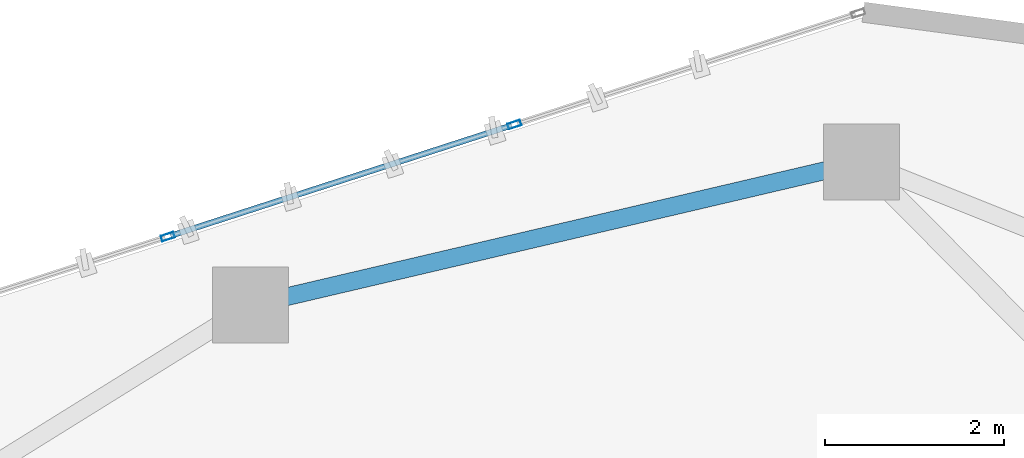
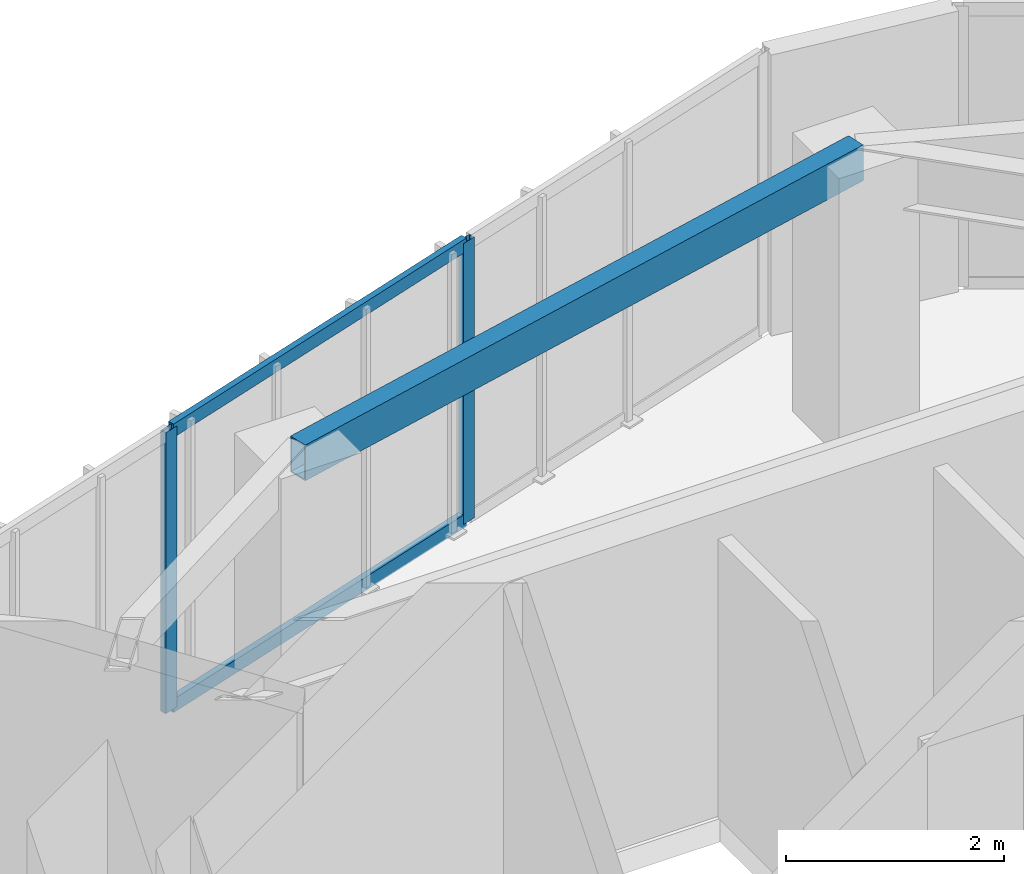
# One storey, part 10 of 19: 4 members, 1 beam, 1 element without a shape of its own.
"""IFC4 building model written with IfcOpenShell, lengths in metres."""

from ifc_helpers import new_model, si_unit, direction, frame, origin, origin_2d, place, context, subcontext, project, spatial, hollow_rectangle, extrude, source, transform, mapped, material, layer, layer_set, material_profile, profile_set, type_object, type_shapes, element, aggregate, save


model = new_model("IFC4")

# Units and contexts
model_context = context("Model", 3, precision=1e-05, world=origin(), true_north=direction((0.0, 1.0)))
body_context = subcontext(model_context, "Body", "Model", "MODEL_VIEW")
ifc_project = project(units=[si_unit("LENGTHUNIT", "METRE"), si_unit("AREAUNIT", "SQUARE_METRE"), si_unit("VOLUMEUNIT", "CUBIC_METRE"), si_unit("PLANEANGLEUNIT", "RADIAN"), si_unit("MASSUNIT", "GRAM", prefix="KILO")], contexts=[model_context])

# Site, building, storey
site_placement = place(None, origin())
site = spatial("IfcSite", under=ifc_project, at=site_placement, CompositionType="ELEMENT")
building_placement = place(site_placement, origin())
building = spatial("IfcBuilding", under=site, at=building_placement, Name="Talar Marvaseh", CompositionType="ELEMENT")
storey_placement = place(building_placement, frame((0.0, 0.0, 288.39990234375)))
storey = spatial("IfcBuildingStorey", under=building, at=storey_placement, Name="L77", CompositionType="ELEMENT", Elevation=288.39990234375)

# Beam
ifc_material_1 = material(Name="Steel S355", Category="steel")
ifc_material_profile_1 = material_profile(ifc_material_1, hollow_rectangle(XDim=0.199951171875, YDim=0.39990234375, WallThickness=0.013916015625, at=origin_2d()), Name="RHS400x200x14")
ifc_profile_set_1 = profile_set([ifc_material_profile_1], Name="Steel S355")
beam_type = type_object("IfcBeamType", Name="Zone 3 Perimeter Spandrel Beam RHS400x200x14", PredefinedType="SPANDREL", material=ifc_profile_set_1)
beam_placement = place(storey_placement, frame((22.364990234375, 39.4541015625, 2.940185546875), z_axis=(0.973655602276, 0.228023613157, 0.0), x_axis=(-0.228023613157, 0.973655602276, 0.0)))
element("IfcBeam", 1, at=beam_placement, inside=storey, type_object=beam_type, Name="L77 Zone 3 Perimeter Spandrel Beam RHS400x200x14", PredefinedType="SPANDREL", context=body_context, shape_type="SweptSolid", body=[
    extrude(hollow_rectangle(XDim=0.199951171875, YDim=0.39990234375, WallThickness=0.013916015625, at=origin_2d()), origin(), (0.0, 0.0, 1.0), 7.007568359375),
])

# Curtain wall, members
ifc_material_2 = material(Name="Architectural Aluminium", Category="aluminium")
ifc_layer = layer(ifc_material_2, 0.179931640625)
ifc_layer_set = layer_set([ifc_layer], Name="Architectural Aluminium")
curtain_wall_type = type_object("IfcCurtainWallType", Name="Unitised High-Wind Sky Curtain Wall Z4", PredefinedType="NOTDEFINED", material=ifc_layer_set)
curtain_wall_placement = place(storey_placement, origin())
curtain_wall = element("IfcCurtainWall", 2, at=curtain_wall_placement, inside=storey, type_object=curtain_wall_type, Name="L77 Unitised High-Wind Sky Curtain Wall Z4", PredefinedType="NOTDEFINED")
ifc_material_profile_2 = material_profile(ifc_material_2, hollow_rectangle(XDim=0.06494140625, YDim=0.14990234375, WallThickness=0.00390625, at=origin_2d()), Name="RHS150x65x4")
ifc_profile_set_2 = profile_set([ifc_material_profile_2], Name="Architectural Aluminium")
member_type_1 = type_object("IfcMemberType", Name="Unitised Curtain Wall Slim Transom RHS150x65x4", PredefinedType="USERDEFINED", material=ifc_profile_set_2)
shared_shape_1 = source(origin(), body_context, "Body", "SweptSolid", [
    extrude(hollow_rectangle(XDim=0.06494140625, YDim=0.14990234375, WallThickness=0.00390625, at=origin_2d()), origin(), (0.0, 0.0, 1.0), 4.003662109375),
])
type_shapes(member_type_1, [shared_shape_1])
member_1_placement = place(storey_placement, frame((21.47216796875, 40.22900390625, 0.03271484375), z_axis=(0.951403538719, 0.307946921583, 0.0), x_axis=(-0.307946921583, 0.951403538719, 0.0)))
member_1 = element("IfcMember", 3, at=member_1_placement, type_object=member_type_1, Name="CW-Z4 transom 2.1", ObjectType="TRANSOM", PredefinedType="USERDEFINED", context=body_context, shape_type="MappedRepresentation", body=[
    mapped(shared_shape_1, transform((0.0, 0.0, 0.0), x_axis=(1.0, 0.0, 0.0), y_axis=(0.0, 1.0, 0.0), z_axis=(0.0, 0.0, 1.0), scale=1.0)),
])
member_2_placement = place(storey_placement, frame((21.47216796875, 40.22900390625, 3.107666015625), z_axis=(0.951403538719, 0.307946921583, 0.0), x_axis=(-0.307946921583, 0.951403538719, 0.0)))
member_2 = element("IfcMember", 4, at=member_2_placement, type_object=member_type_1, Name="CW-Z4 transom 2.2", ObjectType="TRANSOM", PredefinedType="USERDEFINED", context=body_context, shape_type="MappedRepresentation", body=[
    mapped(shared_shape_1, transform((0.0, 0.0, 0.0), x_axis=(1.0, 0.0, 0.0), y_axis=(0.0, 1.0, 0.0), z_axis=(0.0, 0.0, 1.0), scale=1.0)),
])
ifc_material_profile_3 = material_profile(ifc_material_2, hollow_rectangle(XDim=0.06494140625, YDim=0.14990234375, WallThickness=0.00390625, at=origin_2d()), Name="RHS150x65x4")
ifc_profile_set_3 = profile_set([ifc_material_profile_3], Name="Architectural Aluminium")
member_type_2 = type_object("IfcMemberType", Name="Unitised Curtain Wall Slim Mullion RHS150x65x4", PredefinedType="MULLION", material=ifc_profile_set_3)
shared_shape_2 = source(origin(), body_context, "Body", "SweptSolid", [
    extrude(hollow_rectangle(XDim=0.06494140625, YDim=0.14990234375, WallThickness=0.00390625, at=origin_2d()), origin(), (0.0, 0.0, 1.0), 3.14013671875),
])
type_shapes(member_type_2, [shared_shape_2])
member_3_placement = place(storey_placement, frame((21.441162109375, 40.218994140625, 0.0), z_axis=(0.0, 0.0, 1.0), x_axis=(-0.307888558966, 0.951422427346, 0.0)))
member_3 = element("IfcMember", 5, at=member_3_placement, type_object=member_type_2, Name="CW-Z4 mullion 2", PredefinedType="MULLION", context=body_context, shape_type="MappedRepresentation", body=[
    mapped(shared_shape_2, transform((0.0, 0.0, 0.0), x_axis=(1.0, 0.0, 0.0), y_axis=(0.0, 1.0, 0.0), z_axis=(0.0, 0.0, 1.0), scale=1.0)),
])
member_4_placement = place(storey_placement, frame((25.312255859375, 41.4716796875, 0.0), z_axis=(0.0, 0.0, 1.0), x_axis=(-0.307888558966, 0.951422427346, 0.0)))
member_4 = element("IfcMember", 6, at=member_4_placement, type_object=member_type_2, Name="CW-Z4 mullion 3", PredefinedType="MULLION", context=body_context, shape_type="MappedRepresentation", body=[
    mapped(shared_shape_2, transform((0.0, 0.0, 0.0), x_axis=(1.0, 0.0, 0.0), y_axis=(0.0, 1.0, 0.0), z_axis=(0.0, 0.0, 1.0), scale=1.0)),
])
aggregate(curtain_wall, [member_3, member_4, member_1, member_2])

save(model, "model.ifc")
